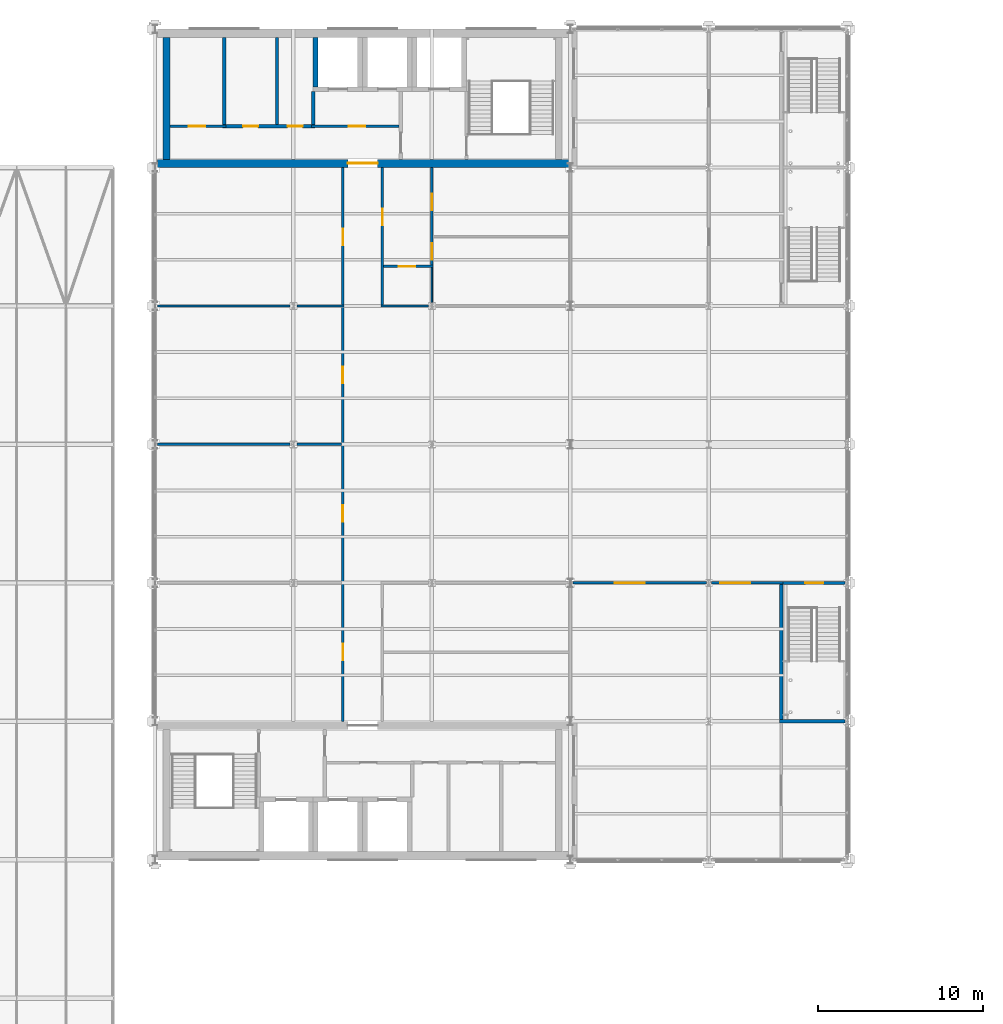
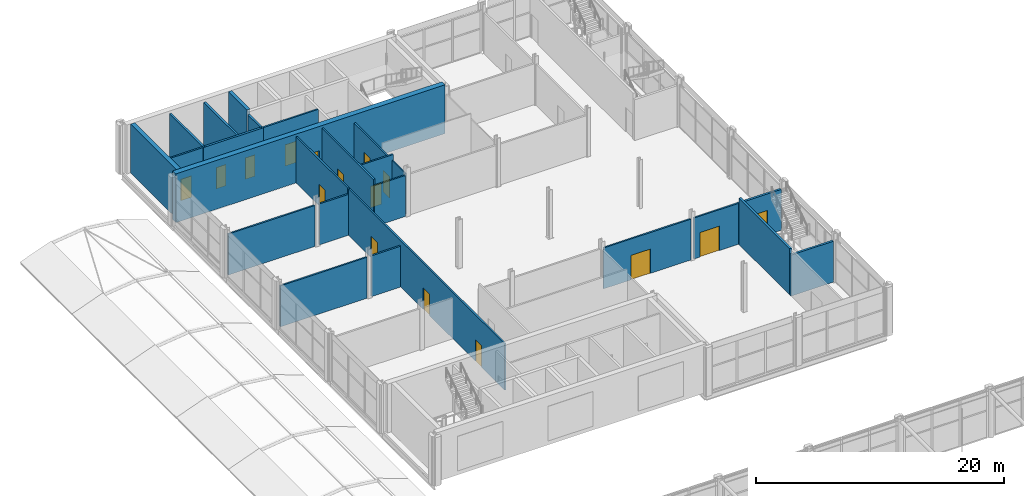
# One storey, part 155 of 167: 25 walls, 16 doors, 16 openings.
"""IFC4 building model written with IfcOpenShell, lengths in metres."""

from ifc_helpers import new_model, si_unit, direction, frame, frame_2d, origin, place, context, subcontext, project, spatial, rectangle, extrude, material, layer, layer_set, type_object, element, fill, save


model = new_model("IFC4")

# Units and contexts
model_context = context("Model", 3, precision=1e-05, world=origin(), true_north=direction((0.0, 1.0)))
body_context = subcontext(model_context, "Body", "Model", "MODEL_VIEW")
ifc_project = project(units=[si_unit("LENGTHUNIT", "METRE"), si_unit("AREAUNIT", "SQUARE_METRE"), si_unit("VOLUMEUNIT", "CUBIC_METRE"), si_unit("PLANEANGLEUNIT", "RADIAN"), si_unit("MASSUNIT", "GRAM", prefix="KILO")], contexts=[model_context])

# Site, building, storey
site_placement = place(None, origin())
site = spatial("IfcSite", under=ifc_project, at=site_placement, CompositionType="ELEMENT")
building_placement = place(site_placement, origin())
building = spatial("IfcBuilding", under=site, at=building_placement, Name="Catenary Quay Ferry Terminal", CompositionType="ELEMENT")
storey_placement = place(building_placement, frame((0.0, 0.0, 6.0)))
storey = spatial("IfcBuildingStorey", under=building, at=storey_placement, Name="L01", CompositionType="ELEMENT", Elevation=6.0)

# Wall
ifc_material_1 = material(Name="Concrete C50/60", Category="concrete")
ifc_layer_1 = layer(ifc_material_1, 0.39990234375)
ifc_layer_set_1 = layer_set([ifc_layer_1], Name="Core wall 400")
wall_type_1 = type_object("IfcWallType", Name="Core wall 400", PredefinedType="SHEAR", material=ifc_layer_set_1)
wall_1_placement = place(storey_placement, frame((25.89990234375, 202.10009765625, 0.0), z_axis=(0.0, 0.0, 1.0), x_axis=(0.0, 1.0, 0.0)))
element("IfcWall", 1, at=wall_1_placement, inside=storey, type_object=wall_type_1, Name="Core wall N3", PredefinedType="SHEAR", context=body_context, shape_type="SweptSolid", body=[
    extrude(rectangle(XDim=7.39990234375, YDim=0.39990234375, at=frame_2d((3.699951171875, 0.0))), origin(), (0.0, 0.0, 1.0), 4.800048828125),
])

# Wall, opening, door
ifc_material_2 = material(Name="Concrete C50/60", Category="concrete")
ifc_layer_2 = layer(ifc_material_2, 0.5)
ifc_layer_set_2 = layer_set([ifc_layer_2], Name="Core wall 500")
wall_type_2 = type_object("IfcWallType", Name="Core wall 500", PredefinedType="SHEAR", material=ifc_layer_set_2)
wall_2_placement = place(storey_placement, frame((25.35009765625, 201.85009765625, 0.0), z_axis=(0.0, 0.0, 1.0), x_axis=(1.0, 0.0, 0.0)))
wall_2 = element("IfcWall", 2, at=wall_2_placement, inside=storey, type_object=wall_type_2, Name="Core wall N1", PredefinedType="SHEAR", context=body_context, shape_type="SweptSolid", body=[
    extrude(rectangle(XDim=25.04296875, YDim=0.5, at=frame_2d((12.521484375, 0.0))), origin(), (0.0, 0.0, 1.0), 4.800048828125),
])
opening_1_placement = place(wall_2_placement, frame((11.550048828125, 0.0, 0.0)))
opening_1 = element("IfcOpeningElement", 3, at=opening_1_placement, cuts=wall_2, Name="Opening D139", PredefinedType="OPENING", context=body_context, shape_type="SweptSolid", body=[
    extrude(rectangle(XDim=1.800048828125, YDim=2.39990234375, at=frame_2d((0.89990234375, 1.199951171875))), frame((0.0, 0.260009765625, 0.0), z_axis=(0.0, -1.0, 0.0), x_axis=(1.0, 0.0, 0.0)), (0.0, 0.0, 1.0), 0.52001953125),
])
ifc_material_3 = material(Name="Steel and glass", Category="steel")
door_type_1 = type_object("IfcDoorType", Name="DI3", OperationType="DOUBLE_DOOR_SINGLE_SWING", PredefinedType="DOOR", material=ifc_material_3)
door_1_placement = place(opening_1_placement, origin())
door_1 = element("IfcDoor", 4, at=door_1_placement, inside=storey, type_object=door_type_1, Name="Operations Corridor North to Core Corridor N", OperationType="DOUBLE_DOOR_SINGLE_SWING", OverallHeight=2.39990234375, OverallWidth=1.800048828125, PredefinedType="DOOR", context=body_context, shape_type="SweptSolid", body=[
    extrude(rectangle(XDim=1.800048828125, YDim=2.39990234375, at=frame_2d((0.89990234375, 1.199951171875))), frame((0.0, 0.02490234375, 0.0), z_axis=(0.0, -1.0, 0.0), x_axis=(1.0, 0.0, 0.0)), (0.0, 0.0, 1.0), 0.050048828125),
])
fill(opening_1, door_1)

# Walls
ifc_material_4 = material(Name="Plasterboard on steel studs", Category="steel")
ifc_layer_3 = layer(ifc_material_4, 0.14990234375)
ifc_layer_set_3 = layer_set([ifc_layer_3], Name="IP11")
wall_type_3 = type_object("IfcWallType", Name="IP11", PredefinedType="PARTITIONING", material=ifc_layer_set_3)
wall_3_placement = place(storey_placement, frame((25.35009765625, 193.199951171875, 0.0), z_axis=(0.0, 0.0, 1.0), x_axis=(1.0, 0.0, 0.0)))
element("IfcWall", 5, at=wall_3_placement, inside=storey, type_object=wall_type_3, Name="Partition L01 39", PredefinedType="PARTITIONING", context=body_context, shape_type="SweptSolid", body=[
    extrude(rectangle(XDim=8.0478515625, YDim=0.14990234375, at=frame_2d((4.02392578125, 0.0))), origin(), (0.0, 0.0, 1.0), 4.021728515625),
])
wall_4_placement = place(storey_placement, frame((33.802001953125, 193.199951171875, 0.0), z_axis=(0.0, 0.0, 1.0), x_axis=(1.0, 0.0, 0.0)))
element("IfcWall", 6, at=wall_4_placement, inside=storey, type_object=wall_type_3, Name="Partition L01 40", PredefinedType="PARTITIONING", context=body_context, shape_type="SweptSolid", body=[
    extrude(rectangle(XDim=2.873046875, YDim=0.14990234375, at=frame_2d((1.4365234375, 0.0))), origin(), (0.0, 0.0, 1.0), 4.021728515625),
])

# Wall, opening, door
wall_5_placement = place(storey_placement, frame((36.60009765625, 193.27490234375, 0.0), z_axis=(0.0, 0.0, 1.0), x_axis=(0.0, 1.0, 0.0)))
wall_5 = element("IfcWall", 7, at=wall_5_placement, inside=storey, type_object=wall_type_3, Name="Partition L01 60", PredefinedType="PARTITIONING", context=body_context, shape_type="SweptSolid", body=[
    extrude(rectangle(XDim=8.3251953125, YDim=0.14990234375, at=frame_2d((4.16259765625, 0.0))), origin(), (0.0, 0.0, 1.0), 4.550048828125),
])
opening_2_placement = place(wall_5_placement, frame((3.625, 0.0, 0.0)))
opening_2 = element("IfcOpeningElement", 8, at=opening_2_placement, cuts=wall_5, Name="Opening D143", PredefinedType="OPENING", context=body_context, shape_type="SweptSolid", body=[
    extrude(rectangle(XDim=1.0, YDim=2.10009765625, at=frame_2d((0.5, 1.050048828125))), frame((0.0, 0.0849609375, 0.0), z_axis=(0.0, -1.0, 0.0), x_axis=(1.0, 0.0, 0.0)), (0.0, 0.0, 1.0), 0.169921875),
])
ifc_material_5 = material(Name="Steel", Category="steel")
door_type_2 = type_object("IfcDoorType", Name="DI14", OperationType="SINGLE_SWING_LEFT", PredefinedType="DOOR", material=ifc_material_5)
door_2_placement = place(opening_2_placement, origin())
door_2 = element("IfcDoor", 9, at=door_2_placement, inside=storey, type_object=door_type_2, Name="Operations Control Room to Operations Corridor North", OperationType="SINGLE_SWING_LEFT", OverallHeight=2.10009765625, OverallWidth=1.0, PredefinedType="DOOR", context=body_context, shape_type="SweptSolid", body=[
    extrude(rectangle(XDim=1.0, YDim=2.10009765625, at=frame_2d((0.5, 1.050048828125))), frame((0.0, 0.02490234375, 0.0), z_axis=(0.0, -1.0, 0.0), x_axis=(1.0, 0.0, 0.0)), (0.0, 0.0, 1.0), 0.050048828125),
])
fill(opening_2, door_2)

# Wall
ifc_material_6 = material(Name="Concrete C35/45", Category="concrete")
ifc_layer_4 = layer(ifc_material_6, 0.199951171875)
ifc_layer_set_4 = layer_set([ifc_layer_4], Name="IP12")
wall_type_4 = type_object("IfcWallType", Name="IP12", PredefinedType="PARTITIONING", material=ifc_layer_set_4)
wall_6_placement = place(storey_placement, frame((63.10009765625, 168.0, 0.0), z_axis=(0.0, 0.0, 1.0), x_axis=(1.0, 0.0, 0.0)))
element("IfcWall", 10, at=wall_6_placement, inside=storey, type_object=wall_type_4, Name="Stair wall L01 28", PredefinedType="PARTITIONING", context=body_context, shape_type="SweptSolid", body=[
    extrude(rectangle(XDim=3.949951171875, YDim=0.199951171875, at=frame_2d((1.97509765625, 0.0))), origin(), (0.0, 0.0, 1.0), 4.021728515625),
])

# Wall, opening, door
wall_7_placement = place(storey_placement, frame((63.10009765625, 176.39990234375, 0.0), z_axis=(0.0, 0.0, 1.0), x_axis=(1.0, 0.0, 0.0)))
wall_7 = element("IfcWall", 11, at=wall_7_placement, inside=storey, type_object=wall_type_4, Name="Stair wall L01 36", PredefinedType="PARTITIONING", context=body_context, shape_type="SweptSolid", body=[
    extrude(rectangle(XDim=3.949951171875, YDim=0.199951171875, at=frame_2d((1.97509765625, 0.0))), origin(), (0.0, 0.0, 1.0), 4.021728515625),
])
opening_3_placement = place(wall_7_placement, frame((1.550048828125, 0.0, 0.0)))
opening_3 = element("IfcOpeningElement", 12, at=opening_3_placement, cuts=wall_7, Name="Opening D155", PredefinedType="OPENING", context=body_context, shape_type="SweptSolid", body=[
    extrude(rectangle(XDim=1.10009765625, YDim=2.39990234375, at=frame_2d((0.550048828125, 1.199951171875))), frame((0.0, 0.10986328125, 0.0), z_axis=(0.0, -1.0, 0.0), x_axis=(1.0, 0.0, 0.0)), (0.0, 0.0, 1.0), 0.219970703125),
])
ifc_material_7 = material(Name="Steel", Category="steel")
door_type_3 = type_object("IfcDoorType", Name="DI4", OperationType="SINGLE_SWING_LEFT", PredefinedType="DOOR", material=ifc_material_7)
door_3_placement = place(opening_3_placement, frame((1.10009765625, 0.0, 0.0), z_axis=(0.0, 0.0, 1.0), x_axis=(-1.0, 0.0, 0.0)))
door_3 = element("IfcDoor", 13, at=door_3_placement, inside=storey, type_object=door_type_3, Name="Stair HS3 to East Foyer", OperationType="SINGLE_SWING_RIGHT", OverallHeight=2.39990234375, OverallWidth=1.10009765625, PredefinedType="DOOR", context=body_context, shape_type="SweptSolid", body=[
    extrude(rectangle(XDim=1.10009765625, YDim=2.39990234375, at=frame_2d((0.550048828125, 1.199951171875))), frame((0.0, 0.02490234375, 0.0), z_axis=(0.0, -1.0, 0.0), x_axis=(1.0, 0.0, 0.0)), (0.0, 0.0, 1.0), 0.050048828125),
])
fill(opening_3, door_3)

# Wall
wall_8_placement = place(storey_placement, frame((63.199951171875, 168.10009765625, 0.0), z_axis=(0.0, 0.0, 1.0), x_axis=(0.0, 1.0, 0.0)))
element("IfcWall", 14, at=wall_8_placement, inside=storey, type_object=wall_type_4, Name="Stair wall L01 80", PredefinedType="PARTITIONING", context=body_context, shape_type="SweptSolid", body=[
    extrude(rectangle(XDim=8.199951171875, YDim=0.199951171875, at=frame_2d((4.10009765625, 0.0))), origin(), (0.0, 0.0, 1.0), 4.550048828125),
])

# Wall, opening, door
ifc_material_8 = material(Name="Plasterboard on steel studs", Category="steel")
ifc_layer_5 = layer(ifc_material_8, 0.14990234375)
ifc_layer_set_5 = layer_set([ifc_layer_5], Name="IP3")
wall_type_5 = type_object("IfcWallType", Name="IP3", PredefinedType="PARTITIONING", material=ifc_layer_set_5)
wall_9_placement = place(storey_placement, frame((50.550048828125, 176.39990234375, 0.0), z_axis=(0.0, 0.0, 1.0), x_axis=(1.0, 0.0, 0.0)))
wall_9 = element("IfcWall", 15, at=wall_9_placement, inside=storey, type_object=wall_type_5, Name="Partition L01 34", PredefinedType="PARTITIONING", context=body_context, shape_type="SweptSolid", body=[
    extrude(rectangle(XDim=8.099853515625, YDim=0.14990234375, at=frame_2d((4.0498046875, 0.0))), origin(), (0.0, 0.0, 1.0), 4.021728515625),
])
opening_4_placement = place(wall_9_placement, frame((2.550048828125, 0.0, 0.0)))
opening_4 = element("IfcOpeningElement", 16, at=opening_4_placement, cuts=wall_9, Name="Opening D150", PredefinedType="OPENING", context=body_context, shape_type="SweptSolid", body=[
    extrude(rectangle(XDim=1.800048828125, YDim=2.39990234375, at=frame_2d((0.89990234375, 1.199951171875))), frame((0.0, 0.0849609375, 0.0), z_axis=(0.0, -1.0, 0.0), x_axis=(1.0, 0.0, 0.0)), (0.0, 0.0, 1.0), 0.169921875),
])
ifc_material_9 = material(Name="Aluminium and glass", Category="aluminium")
door_type_4 = type_object("IfcDoorType", Name="DI6", OperationType="DOUBLE_DOOR_SINGLE_SWING", PredefinedType="DOOR", material=ifc_material_9)
door_4_placement = place(opening_4_placement, origin())
door_4 = element("IfcDoor", 17, at=door_4_placement, inside=storey, type_object=door_type_4, Name="Staff Canteen to East Foyer", OperationType="DOUBLE_DOOR_SINGLE_SWING", OverallHeight=2.39990234375, OverallWidth=1.800048828125, PredefinedType="DOOR", context=body_context, shape_type="SweptSolid", body=[
    extrude(rectangle(XDim=1.800048828125, YDim=2.39990234375, at=frame_2d((0.89990234375, 1.199951171875))), frame((0.0, 0.02490234375, 0.0), z_axis=(0.0, -1.0, 0.0), x_axis=(1.0, 0.0, 0.0)), (0.0, 0.0, 1.0), 0.050048828125),
])
fill(opening_4, door_4)

wall_10_placement = place(storey_placement, frame((58.949951171875, 176.39990234375, 0.0), z_axis=(0.0, 0.0, 1.0), x_axis=(1.0, 0.0, 0.0)))
wall_10 = element("IfcWall", 18, at=wall_10_placement, inside=storey, type_object=wall_type_5, Name="Partition L01 35", PredefinedType="PARTITIONING", context=body_context, shape_type="SweptSolid", body=[
    extrude(rectangle(XDim=4.35009765625, YDim=0.14990234375, at=frame_2d((2.175048828125, 0.0))), origin(), (0.0, 0.0, 1.0), 4.021728515625),
])
opening_5_placement = place(wall_10_placement, frame((0.550048828125, 0.0, 0.0)))
opening_5 = element("IfcOpeningElement", 19, at=opening_5_placement, cuts=wall_10, Name="Opening D151", PredefinedType="OPENING", context=body_context, shape_type="SweptSolid", body=[
    extrude(rectangle(XDim=1.800048828125, YDim=2.39990234375, at=frame_2d((0.89990234375, 1.199951171875))), frame((0.0, 0.0849609375, 0.0), z_axis=(0.0, -1.0, 0.0), x_axis=(1.0, 0.0, 0.0)), (0.0, 0.0, 1.0), 0.169921875),
])
door_5_placement = place(opening_5_placement, origin())
door_5 = element("IfcDoor", 20, at=door_5_placement, inside=storey, type_object=door_type_4, Name="Staff Canteen to East Foyer", OperationType="DOUBLE_DOOR_SINGLE_SWING", OverallHeight=2.39990234375, OverallWidth=1.800048828125, PredefinedType="DOOR", context=body_context, shape_type="SweptSolid", body=[
    extrude(rectangle(XDim=1.800048828125, YDim=2.39990234375, at=frame_2d((0.89990234375, 1.199951171875))), frame((0.0, 0.02490234375, 0.0), z_axis=(0.0, -1.0, 0.0), x_axis=(1.0, 0.0, 0.0)), (0.0, 0.0, 1.0), 0.050048828125),
])
fill(opening_5, door_5)

# Wall
wall_11_placement = place(storey_placement, frame((38.925048828125, 193.199951171875, 0.0), z_axis=(0.0, 0.0, 1.0), x_axis=(1.0, 0.0, 0.0)))
element("IfcWall", 21, at=wall_11_placement, inside=storey, type_object=wall_type_5, Name="Partition L01 41", PredefinedType="PARTITIONING", context=body_context, shape_type="SweptSolid", body=[
    extrude(rectangle(XDim=2.873046875, YDim=0.14990234375, at=frame_2d((1.4365234375, 0.0))), origin(), (0.0, 0.0, 1.0), 4.021728515625),
])

# Wall, opening, door
wall_12_placement = place(storey_placement, frame((39.074951171875, 195.60009765625, 0.0), z_axis=(0.0, 0.0, 1.0), x_axis=(1.0, 0.0, 0.0)))
wall_12 = element("IfcWall", 22, at=wall_12_placement, inside=storey, type_object=wall_type_5, Name="Partition L01 45", PredefinedType="PARTITIONING", context=body_context, shape_type="SweptSolid", body=[
    extrude(rectangle(XDim=3.0, YDim=0.14990234375, at=frame_2d((1.5, 0.0))), origin(), (0.0, 0.0, 1.0), 4.550048828125),
])
opening_6_placement = place(wall_12_placement, frame((0.925048828125, 0.0, 0.0)))
opening_6 = element("IfcOpeningElement", 23, at=opening_6_placement, cuts=wall_12, Name="Opening D146", PredefinedType="OPENING", context=body_context, shape_type="SweptSolid", body=[
    extrude(rectangle(XDim=1.0, YDim=2.10009765625, at=frame_2d((0.5, 1.050048828125))), frame((0.0, 0.0849609375, 0.0), z_axis=(0.0, -1.0, 0.0), x_axis=(1.0, 0.0, 0.0)), (0.0, 0.0, 1.0), 0.169921875),
])
ifc_material_10 = material(Name="Timber", Category="wood")
door_type_5 = type_object("IfcDoorType", Name="DI8", OperationType="SINGLE_SWING_LEFT", PredefinedType="DOOR", material=ifc_material_10)
door_6_placement = place(opening_6_placement, frame((1.0, 0.0, 0.0), z_axis=(0.0, 0.0, 1.0), x_axis=(-1.0, 0.0, 0.0)))
door_6 = element("IfcDoor", 24, at=door_6_placement, inside=storey, type_object=door_type_5, Name="Staff Accessible WC L01 to Staff WC Lobby L01", OperationType="SINGLE_SWING_RIGHT", OverallHeight=2.10009765625, OverallWidth=1.0, PredefinedType="DOOR", context=body_context, shape_type="SweptSolid", body=[
    extrude(rectangle(XDim=1.0, YDim=2.10009765625, at=frame_2d((0.5, 1.050048828125))), frame((0.0, 0.02490234375, 0.0), z_axis=(0.0, -1.0, 0.0), x_axis=(1.0, 0.0, 0.0)), (0.0, 0.0, 1.0), 0.050048828125),
])
fill(opening_6, door_6)

wall_13_placement = place(storey_placement, frame((26.10009765625, 204.10009765625, 0.0), z_axis=(0.0, 0.0, 1.0), x_axis=(1.0, 0.0, 0.0)))
wall_13 = element("IfcWall", 25, at=wall_13_placement, inside=storey, type_object=wall_type_5, Name="Partition L01 49", PredefinedType="PARTITIONING", context=body_context, shape_type="SweptSolid", body=[
    extrude(rectangle(XDim=3.39990234375, YDim=0.14990234375, at=frame_2d((1.699951171875, 0.0))), origin(), (0.0, 0.0, 1.0), 4.550048828125),
])
opening_7_placement = place(wall_13_placement, frame((1.14990234375, 0.0, 0.0)))
opening_7 = element("IfcOpeningElement", 26, at=opening_7_placement, cuts=wall_13, Name="Opening D135", PredefinedType="OPENING", context=body_context, shape_type="SweptSolid", body=[
    extrude(rectangle(XDim=1.0, YDim=2.10009765625, at=frame_2d((0.5, 1.050048828125))), frame((0.0, 0.0849609375, 0.0), z_axis=(0.0, -1.0, 0.0), x_axis=(1.0, 0.0, 0.0)), (0.0, 0.0, 1.0), 0.169921875),
])
door_7_placement = place(opening_7_placement, origin())
door_7 = element("IfcDoor", 27, at=door_7_placement, inside=storey, type_object=door_type_5, Name="Accessible WC N to Core Corridor N", OperationType="SINGLE_SWING_LEFT", OverallHeight=2.10009765625, OverallWidth=1.0, PredefinedType="DOOR", context=body_context, shape_type="SweptSolid", body=[
    extrude(rectangle(XDim=1.0, YDim=2.10009765625, at=frame_2d((0.5, 1.050048828125))), frame((0.0, 0.02490234375, 0.0), z_axis=(0.0, -1.0, 0.0), x_axis=(1.0, 0.0, 0.0)), (0.0, 0.0, 1.0), 0.050048828125),
])
fill(opening_7, door_7)

wall_14_placement = place(storey_placement, frame((34.699951171875, 204.10009765625, 0.0), z_axis=(0.0, 0.0, 1.0), x_axis=(1.0, 0.0, 0.0)))
wall_14 = element("IfcWall", 28, at=wall_14_placement, inside=storey, type_object=wall_type_5, Name="Partition L01 51", PredefinedType="PARTITIONING", context=body_context, shape_type="SweptSolid", body=[
    extrude(rectangle(XDim=5.300048828125, YDim=0.14990234375, at=frame_2d((2.64990234375, 0.0))), origin(), (0.0, 0.0, 1.0), 4.550048828125),
])
opening_8_placement = place(wall_14_placement, frame((2.25, 0.0, 0.0)))
opening_8 = element("IfcOpeningElement", 29, at=opening_8_placement, cuts=wall_14, Name="Opening D127", PredefinedType="OPENING", context=body_context, shape_type="SweptSolid", body=[
    extrude(rectangle(XDim=1.0, YDim=2.10009765625, at=frame_2d((0.5, 1.050048828125))), frame((0.0, 0.0849609375, 0.0), z_axis=(0.0, -1.0, 0.0), x_axis=(1.0, 0.0, 0.0)), (0.0, 0.0, 1.0), 0.169921875),
])
ifc_material_11 = material(Name="Steel", Category="steel")
door_type_6 = type_object("IfcDoorType", Name="DI12", OperationType="SINGLE_SWING_LEFT", PredefinedType="DOOR", material=ifc_material_11)
door_8_placement = place(opening_8_placement, origin())
door_8 = element("IfcDoor", 30, at=door_8_placement, inside=storey, type_object=door_type_6, Name="Passenger Lift Lobby N to Core Corridor N", OperationType="SINGLE_SWING_LEFT", OverallHeight=2.10009765625, OverallWidth=1.0, PredefinedType="DOOR", context=body_context, shape_type="SweptSolid", body=[
    extrude(rectangle(XDim=1.0, YDim=2.10009765625, at=frame_2d((0.5, 1.050048828125))), frame((0.0, 0.02490234375, 0.0), z_axis=(0.0, -1.0, 0.0), x_axis=(1.0, 0.0, 0.0)), (0.0, 0.0, 1.0), 0.050048828125),
])
fill(opening_8, door_8)

# Wall, openings, doors
wall_15_placement = place(storey_placement, frame((36.60009765625, 168.0, 0.0), z_axis=(0.0, 0.0, 1.0), x_axis=(0.0, 1.0, 0.0)))
wall_15 = element("IfcWall", 31, at=wall_15_placement, inside=storey, type_object=wall_type_5, Name="Partition L01 59", PredefinedType="PARTITIONING", context=body_context, shape_type="SweptSolid", body=[
    extrude(rectangle(XDim=25.125, YDim=0.14990234375, at=frame_2d((12.5625, 0.0))), origin(), (0.0, 0.0, 1.0), 4.550048828125),
])
opening_9_placement = place(wall_15_placement, frame((3.699951171875, 0.0, 0.0)))
opening_9 = element("IfcOpeningElement", 32, at=opening_9_placement, cuts=wall_15, Name="Opening D140", PredefinedType="OPENING", context=body_context, shape_type="SweptSolid", body=[
    extrude(rectangle(XDim=1.0, YDim=2.10009765625, at=frame_2d((0.5, 1.050048828125))), frame((0.0, 0.0849609375, 0.0), z_axis=(0.0, -1.0, 0.0), x_axis=(1.0, 0.0, 0.0)), (0.0, 0.0, 1.0), 0.169921875),
])
opening_10_placement = place(wall_15_placement, frame((12.10009765625, 0.0, 0.0)))
opening_10 = element("IfcOpeningElement", 33, at=opening_10_placement, cuts=wall_15, Name="Opening D141", PredefinedType="OPENING", context=body_context, shape_type="SweptSolid", body=[
    extrude(rectangle(XDim=1.0, YDim=2.10009765625, at=frame_2d((0.5, 1.050048828125))), frame((0.0, 0.0849609375, 0.0), z_axis=(0.0, -1.0, 0.0), x_axis=(1.0, 0.0, 0.0)), (0.0, 0.0, 1.0), 0.169921875),
])
opening_11_placement = place(wall_15_placement, frame((20.5, 0.0, 0.0)))
opening_11 = element("IfcOpeningElement", 34, at=opening_11_placement, cuts=wall_15, Name="Opening D142", PredefinedType="OPENING", context=body_context, shape_type="SweptSolid", body=[
    extrude(rectangle(XDim=1.0, YDim=2.10009765625, at=frame_2d((0.5, 1.050048828125))), frame((0.0, 0.0849609375, 0.0), z_axis=(0.0, -1.0, 0.0), x_axis=(1.0, 0.0, 0.0)), (0.0, 0.0, 1.0), 0.169921875),
])
door_9_placement = place(opening_10_placement, frame((1.0, 0.0, 0.0), z_axis=(0.0, 0.0, 1.0), x_axis=(-1.0, 0.0, 0.0)))
door_9 = element("IfcDoor", 35, at=door_9_placement, inside=storey, type_object=door_type_6, Name="Immigration Office to Wing Gallery", OperationType="SINGLE_SWING_RIGHT", OverallHeight=2.10009765625, OverallWidth=1.0, PredefinedType="DOOR", context=body_context, shape_type="SweptSolid", body=[
    extrude(rectangle(XDim=1.0, YDim=2.10009765625, at=frame_2d((0.5, 1.050048828125))), frame((0.0, 0.02490234375, 0.0), z_axis=(0.0, -1.0, 0.0), x_axis=(1.0, 0.0, 0.0)), (0.0, 0.0, 1.0), 0.050048828125),
])
fill(opening_10, door_9)
door_10_placement = place(opening_11_placement, frame((1.0, 0.0, 0.0), z_axis=(0.0, 0.0, 1.0), x_axis=(-1.0, 0.0, 0.0)))
door_10 = element("IfcDoor", 36, at=door_10_placement, inside=storey, type_object=door_type_6, Name="Port Authority Reception Office to Wing Gallery", OperationType="SINGLE_SWING_RIGHT", OverallHeight=2.10009765625, OverallWidth=1.0, PredefinedType="DOOR", context=body_context, shape_type="SweptSolid", body=[
    extrude(rectangle(XDim=1.0, YDim=2.10009765625, at=frame_2d((0.5, 1.050048828125))), frame((0.0, 0.02490234375, 0.0), z_axis=(0.0, -1.0, 0.0), x_axis=(1.0, 0.0, 0.0)), (0.0, 0.0, 1.0), 0.050048828125),
])
fill(opening_11, door_10)
ifc_material_12 = material(Name="Timber", Category="wood")
door_type_7 = type_object("IfcDoorType", Name="DI7", OperationType="SINGLE_SWING_LEFT", PredefinedType="DOOR", material=ifc_material_12)
door_11_placement = place(opening_9_placement, origin())
door_11 = element("IfcDoor", 37, at=door_11_placement, inside=storey, type_object=door_type_7, Name="Customs Liaison Office to Operations Corridor South", OperationType="SINGLE_SWING_LEFT", OverallHeight=2.10009765625, OverallWidth=1.0, PredefinedType="DOOR", context=body_context, shape_type="SweptSolid", body=[
    extrude(rectangle(XDim=1.0, YDim=2.10009765625, at=frame_2d((0.5, 1.050048828125))), frame((0.0, 0.02490234375, 0.0), z_axis=(0.0, -1.0, 0.0), x_axis=(1.0, 0.0, 0.0)), (0.0, 0.0, 1.0), 0.050048828125),
])
fill(opening_9, door_11)

# Wall, opening, door
wall_16_placement = place(storey_placement, frame((39.0, 193.27490234375, 0.0), z_axis=(0.0, 0.0, 1.0), x_axis=(0.0, 1.0, 0.0)))
wall_16 = element("IfcWall", 38, at=wall_16_placement, inside=storey, type_object=wall_type_5, Name="Partition L01 62", PredefinedType="PARTITIONING", context=body_context, shape_type="SweptSolid", body=[
    extrude(rectangle(XDim=8.3251953125, YDim=0.14990234375, at=frame_2d((4.16259765625, 0.0))), origin(), (0.0, 0.0, 1.0), 4.550048828125),
])
opening_12_placement = place(wall_16_placement, frame((4.824951171875, 0.0, 0.0)))
opening_12 = element("IfcOpeningElement", 39, at=opening_12_placement, cuts=wall_16, Name="Opening D149", PredefinedType="OPENING", context=body_context, shape_type="SweptSolid", body=[
    extrude(rectangle(XDim=1.0, YDim=2.10009765625, at=frame_2d((0.5, 1.050048828125))), frame((0.0, 0.0849609375, 0.0), z_axis=(0.0, -1.0, 0.0), x_axis=(1.0, 0.0, 0.0)), (0.0, 0.0, 1.0), 0.169921875),
])
door_12_placement = place(opening_12_placement, frame((1.0, 0.0, 0.0), z_axis=(0.0, 0.0, 1.0), x_axis=(-1.0, 0.0, 0.0)))
door_12 = element("IfcDoor", 40, at=door_12_placement, inside=storey, type_object=door_type_6, Name="Staff WC Lobby L01 to Operations Corridor North", OperationType="SINGLE_SWING_RIGHT", OverallHeight=2.10009765625, OverallWidth=1.0, PredefinedType="DOOR", context=body_context, shape_type="SweptSolid", body=[
    extrude(rectangle(XDim=1.0, YDim=2.10009765625, at=frame_2d((0.5, 1.050048828125))), frame((0.0, 0.02490234375, 0.0), z_axis=(0.0, -1.0, 0.0), x_axis=(1.0, 0.0, 0.0)), (0.0, 0.0, 1.0), 0.050048828125),
])
fill(opening_12, door_12)

# Wall, openings, doors
wall_17_placement = place(storey_placement, frame((42.0, 195.675048828125, 0.0), z_axis=(0.0, 0.0, 1.0), x_axis=(0.0, 1.0, 0.0)))
wall_17 = element("IfcWall", 41, at=wall_17_placement, inside=storey, type_object=wall_type_5, Name="Partition L01 67", PredefinedType="PARTITIONING", context=body_context, shape_type="SweptSolid", body=[
    extrude(rectangle(XDim=5.925048828125, YDim=0.14990234375, at=frame_2d((2.96240234375, 0.0))), origin(), (0.0, 0.0, 1.0), 4.0),
])
opening_13_placement = place(wall_17_placement, frame((0.324951171875, 0.0, 0.0)))
opening_13 = element("IfcOpeningElement", 42, at=opening_13_placement, cuts=wall_17, Name="Opening D147", PredefinedType="OPENING", context=body_context, shape_type="SweptSolid", body=[
    extrude(rectangle(XDim=1.0, YDim=2.10009765625, at=frame_2d((0.5, 1.050048828125))), frame((0.0, 0.0849609375, 0.0), z_axis=(0.0, -1.0, 0.0), x_axis=(1.0, 0.0, 0.0)), (0.0, 0.0, 1.0), 0.169921875),
])
opening_14_placement = place(wall_17_placement, frame((3.324951171875, 0.0, 0.0)))
opening_14 = element("IfcOpeningElement", 43, at=opening_14_placement, cuts=wall_17, Name="Opening D148", PredefinedType="OPENING", context=body_context, shape_type="SweptSolid", body=[
    extrude(rectangle(XDim=1.0, YDim=2.10009765625, at=frame_2d((0.5, 1.050048828125))), frame((0.0, 0.0849609375, 0.0), z_axis=(0.0, -1.0, 0.0), x_axis=(1.0, 0.0, 0.0)), (0.0, 0.0, 1.0), 0.169921875),
])
door_13_placement = place(opening_13_placement, frame((1.0, 0.0, 0.0), z_axis=(0.0, 0.0, 1.0), x_axis=(-1.0, 0.0, 0.0)))
door_13 = element("IfcDoor", 44, at=door_13_placement, inside=storey, type_object=door_type_5, Name="Staff Women WC L01 to Staff WC Lobby L01", OperationType="SINGLE_SWING_RIGHT", OverallHeight=2.10009765625, OverallWidth=1.0, PredefinedType="DOOR", context=body_context, shape_type="SweptSolid", body=[
    extrude(rectangle(XDim=1.0, YDim=2.10009765625, at=frame_2d((0.5, 1.050048828125))), frame((0.0, 0.02490234375, 0.0), z_axis=(0.0, -1.0, 0.0), x_axis=(1.0, 0.0, 0.0)), (0.0, 0.0, 1.0), 0.050048828125),
])
fill(opening_13, door_13)
door_14_placement = place(opening_14_placement, frame((1.0, 0.0, 0.0), z_axis=(0.0, 0.0, 1.0), x_axis=(-1.0, 0.0, 0.0)))
door_14 = element("IfcDoor", 45, at=door_14_placement, inside=storey, type_object=door_type_5, Name="Staff Men WC L01 to Staff WC Lobby L01", OperationType="SINGLE_SWING_RIGHT", OverallHeight=2.10009765625, OverallWidth=1.0, PredefinedType="DOOR", context=body_context, shape_type="SweptSolid", body=[
    extrude(rectangle(XDim=1.0, YDim=2.10009765625, at=frame_2d((0.5, 1.050048828125))), frame((0.0, 0.02490234375, 0.0), z_axis=(0.0, -1.0, 0.0), x_axis=(1.0, 0.0, 0.0)), (0.0, 0.0, 1.0), 0.050048828125),
])
fill(opening_14, door_14)

ifc_material_13 = material(Name="Blockwork and plaster", Category="masonry")
ifc_layer_6 = layer(ifc_material_13, 0.199951171875)
ifc_layer_set_6 = layer_set([ifc_layer_6], Name="IP6")
wall_type_6 = type_object("IfcWallType", Name="IP6", PredefinedType="PARTITIONING", material=ifc_layer_set_6)
wall_18_placement = place(storey_placement, frame((29.300048828125, 204.10009765625, 0.0), z_axis=(0.0, 0.0, 1.0), x_axis=(1.0, 0.0, 0.0)))
wall_18 = element("IfcWall", 46, at=wall_18_placement, inside=storey, type_object=wall_type_6, Name="Partition L01 50", PredefinedType="PARTITIONING", context=body_context, shape_type="SweptSolid", body=[
    extrude(rectangle(XDim=5.599853515625, YDim=0.199951171875, at=frame_2d((2.7998046875, 0.0))), origin(), (0.0, 0.0, 1.0), 4.550048828125),
])
opening_15_placement = place(wall_18_placement, frame((3.949951171875, 0.0, 0.0)))
opening_15 = element("IfcOpeningElement", 47, at=opening_15_placement, cuts=wall_18, Name="Opening D131", PredefinedType="OPENING", context=body_context, shape_type="SweptSolid", body=[
    extrude(rectangle(XDim=0.89990234375, YDim=2.10009765625, at=frame_2d((0.449951171875, 1.050048828125))), frame((0.0, 0.10986328125, 0.0), z_axis=(0.0, -1.0, 0.0), x_axis=(1.0, 0.0, 0.0)), (0.0, 0.0, 1.0), 0.219970703125),
])
opening_16_placement = place(wall_18_placement, frame((1.25, 0.0, 0.0)))
opening_16 = element("IfcOpeningElement", 48, at=opening_16_placement, cuts=wall_18, Name="Opening D133", PredefinedType="OPENING", context=body_context, shape_type="SweptSolid", body=[
    extrude(rectangle(XDim=0.89990234375, YDim=2.10009765625, at=frame_2d((0.449951171875, 1.050048828125))), frame((0.0, 0.10986328125, 0.0), z_axis=(0.0, -1.0, 0.0), x_axis=(1.0, 0.0, 0.0)), (0.0, 0.0, 1.0), 0.219970703125),
])
ifc_material_14 = material(Name="Steel", Category="steel")
door_type_8 = type_object("IfcDoorType", Name="DI9", OperationType="SINGLE_SWING_LEFT", PredefinedType="DOOR", material=ifc_material_14)
door_15_placement = place(opening_15_placement, origin())
door_15 = element("IfcDoor", 49, at=door_15_placement, inside=storey, type_object=door_type_8, Name="Riser Shaft N to Core Corridor N", OperationType="SINGLE_SWING_LEFT", OverallHeight=2.10009765625, OverallWidth=0.89990234375, PredefinedType="DOOR", context=body_context, shape_type="SweptSolid", body=[
    extrude(rectangle(XDim=0.89990234375, YDim=2.10009765625, at=frame_2d((0.449951171875, 1.050048828125))), frame((0.0, 0.02490234375, 0.0), z_axis=(0.0, -1.0, 0.0), x_axis=(1.0, 0.0, 0.0)), (0.0, 0.0, 1.0), 0.050048828125),
])
fill(opening_15, door_15)
door_16_placement = place(opening_16_placement, origin())
door_16 = element("IfcDoor", 50, at=door_16_placement, inside=storey, type_object=door_type_8, Name="Cleaners Store N to Core Corridor N", OperationType="SINGLE_SWING_LEFT", OverallHeight=2.10009765625, OverallWidth=0.89990234375, PredefinedType="DOOR", context=body_context, shape_type="SweptSolid", body=[
    extrude(rectangle(XDim=0.89990234375, YDim=2.10009765625, at=frame_2d((0.449951171875, 1.050048828125))), frame((0.0, 0.02490234375, 0.0), z_axis=(0.0, -1.0, 0.0), x_axis=(1.0, 0.0, 0.0)), (0.0, 0.0, 1.0), 0.050048828125),
])
fill(opening_16, door_16)

# Walls
for number, where, z_axis, x_axis, name in (
    (51, (29.39990234375, 204.199951171875, 0.0), (0.0, 0.0, 1.0), (0.0, 1.0, 0.0), "Partition L01 52"),
    (52, (32.60009765625, 204.199951171875, 0.0), (0.0, 0.0, 1.0), (0.0, 1.0, 0.0), "Partition L01 54"),
):
    element("IfcWall", number, at=place(storey_placement, frame(where, z_axis=z_axis, x_axis=x_axis)), inside=storey, type_object=wall_type_6, Name=name, PredefinedType="PARTITIONING", context=body_context, shape_type="SweptSolid", body=[
        extrude(rectangle(XDim=5.300048828125, YDim=0.199951171875, at=frame_2d((2.64990234375, 0.0))), origin(), (0.0, 0.0, 1.0), 4.550048828125),
    ])
wall_19_placement = place(storey_placement, frame((34.800048828125, 204.199951171875, 0.0), z_axis=(0.0, 0.0, 1.0), x_axis=(0.0, 1.0, 0.0)))
element("IfcWall", 53, at=wall_19_placement, inside=storey, type_object=wall_type_6, Name="Partition L01 56", PredefinedType="PARTITIONING", context=body_context, shape_type="SweptSolid", body=[
    extrude(rectangle(XDim=2.0, YDim=0.199951171875, at=frame_2d((1.0, 0.0))), origin(), (0.0, 0.0, 1.0), 4.550048828125),
])
ifc_material_15 = material(Name="Plasterboard on steel studs", Category="steel")
ifc_layer_7 = layer(ifc_material_15, 0.14990234375)
ifc_layer_set_7 = layer_set([ifc_layer_7], Name="IP7")
wall_type_7 = type_object("IfcWallType", Name="IP7", PredefinedType="PARTITIONING", material=ifc_layer_set_7)
wall_20_placement = place(storey_placement, frame((25.35009765625, 184.800048828125, 0.0), z_axis=(0.0, 0.0, 1.0), x_axis=(1.0, 0.0, 0.0)))
element("IfcWall", 54, at=wall_20_placement, inside=storey, type_object=wall_type_7, Name="Partition L01 37", PredefinedType="PARTITIONING", context=body_context, shape_type="SweptSolid", body=[
    extrude(rectangle(XDim=8.0478515625, YDim=0.14990234375, at=frame_2d((4.02392578125, 0.0))), origin(), (0.0, 0.0, 1.0), 4.021728515625),
])
wall_21_placement = place(storey_placement, frame((33.802001953125, 184.800048828125, 0.0), z_axis=(0.0, 0.0, 1.0), x_axis=(1.0, 0.0, 0.0)))
element("IfcWall", 55, at=wall_21_placement, inside=storey, type_object=wall_type_7, Name="Partition L01 38", PredefinedType="PARTITIONING", context=body_context, shape_type="SweptSolid", body=[
    extrude(rectangle(XDim=2.722900390625, YDim=0.14990234375, at=frame_2d((1.361328125, 0.0))), origin(), (0.0, 0.0, 1.0), 4.021728515625),
])
ifc_material_16 = material(Name="Plasterboard on steel studs", Category="steel")
ifc_layer_8 = layer(ifc_material_16, 0.10009765625)
ifc_layer_set_8 = layer_set([ifc_layer_8], Name="IP8")
wall_type_8 = type_object("IfcWallType", Name="IP8", PredefinedType="PARTITIONING", material=ifc_layer_set_8)
wall_22_placement = place(storey_placement, frame((42.0, 193.403564453125, 0.0), z_axis=(0.0, 0.0, 1.0), x_axis=(0.0, 1.0, 0.0)))
element("IfcWall", 56, at=wall_22_placement, inside=storey, type_object=wall_type_8, Name="Partition L01 66", PredefinedType="PARTITIONING", context=body_context, shape_type="SweptSolid", body=[
    extrude(rectangle(XDim=2.121337890625, YDim=0.10009765625, at=frame_2d((1.060546875, 0.0))), origin(), (0.0, 0.0, 1.0), 4.0),
])
ifc_material_17 = material(Name="Concrete C50/60", Category="concrete")
ifc_layer_9 = layer(ifc_material_17, 0.300048828125)
ifc_layer_set_9 = layer_set([ifc_layer_9], Name="Shaft wall 300")
wall_type_9 = type_object("IfcWallType", Name="Shaft wall 300", PredefinedType="SHEAR", material=ifc_layer_set_9)
wall_23_placement = place(storey_placement, frame((34.949951171875, 206.5, 0.0), z_axis=(0.0, 0.0, 1.0), x_axis=(0.0, 1.0, 0.0)))
element("IfcWall", 57, at=wall_23_placement, inside=storey, type_object=wall_type_9, Name="Shaft wall GL4 W", PredefinedType="SHEAR", context=body_context, shape_type="SweptSolid", body=[
    extrude(rectangle(XDim=3.0, YDim=0.300048828125, at=frame_2d((1.5, 0.0))), origin(), (0.0, 0.0, 1.0), 4.800048828125),
])

save(model, "model.ifc")
